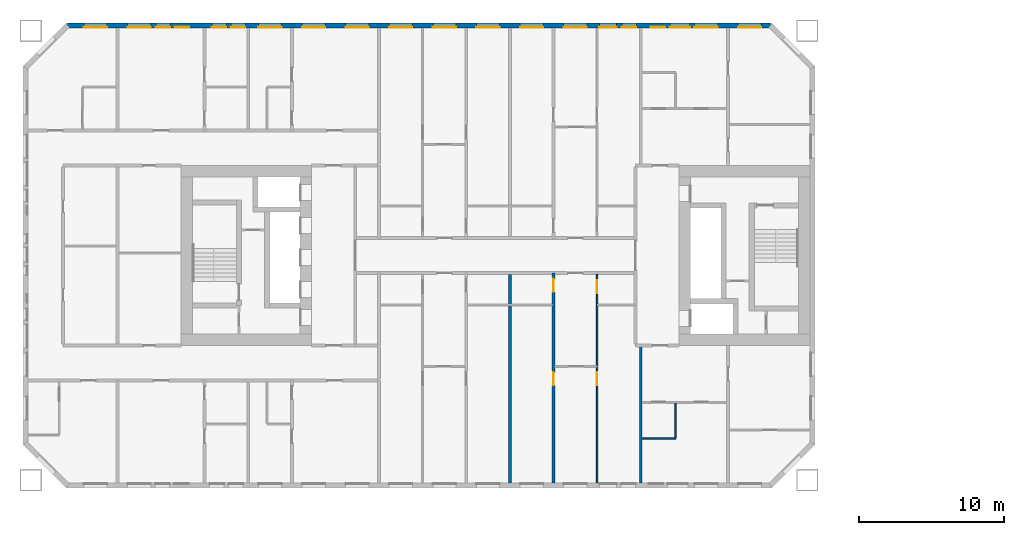
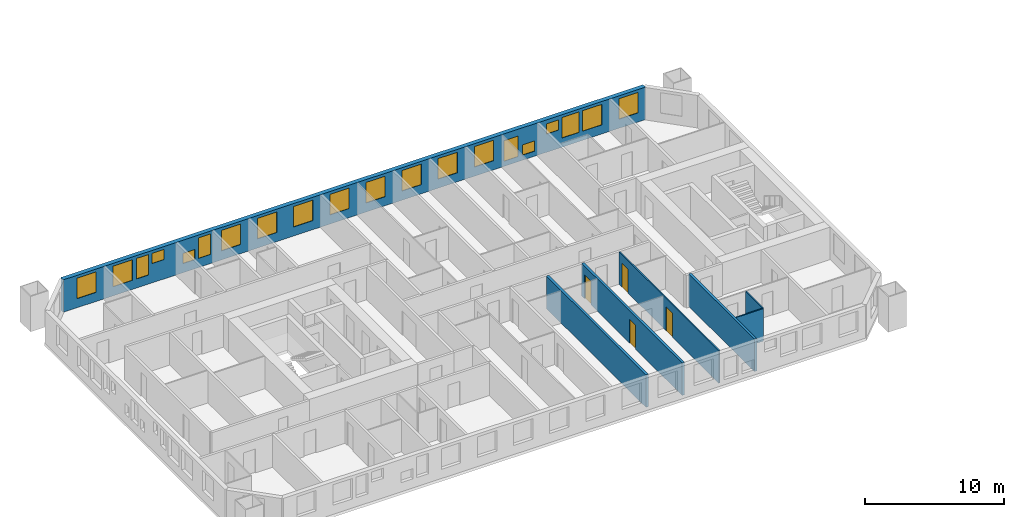
# One storey, part 6 of 17: 20 windows, 7 walls, 4 doors, 24 openings.
"""IFC4 building model written with IfcOpenShell, lengths in metres."""

from ifc_helpers import new_model, si_unit, direction, frame, frame_2d, origin, place, context, subcontext, project, spatial, rectangle, extrude, material, layer, layer_set, type_object, element, fill, save


model = new_model("IFC4")

# Units and contexts
model_context = context("Model", 3, precision=1e-05, world=origin(), true_north=direction((0.0, 1.0)))
body_context = subcontext(model_context, "Body", "Model", "MODEL_VIEW")
ifc_project = project(units=[si_unit("LENGTHUNIT", "METRE"), si_unit("AREAUNIT", "SQUARE_METRE"), si_unit("VOLUMEUNIT", "CUBIC_METRE"), si_unit("PLANEANGLEUNIT", "RADIAN"), si_unit("MASSUNIT", "GRAM", prefix="KILO")], contexts=[model_context])

# Site, building, storey
site_placement = place(None, origin())
site = spatial("IfcSite", under=ifc_project, at=site_placement, CompositionType="ELEMENT")
building_placement = place(site_placement, origin())
building = spatial("IfcBuilding", under=site, at=building_placement, Name="Tuart Gate Housing", CompositionType="ELEMENT")
storey_placement = place(building_placement, frame((0.0, 0.0, 50.5)))
storey = spatial("IfcBuildingStorey", under=building, at=storey_placement, Name="L13", CompositionType="ELEMENT", Elevation=50.5)

# Wall, openings, windows
ifc_material_1 = material(Name="Brick", Category="masonry")
ifc_layer_1 = layer(ifc_material_1, 0.360107421875)
ifc_layer_set_1 = layer_set([ifc_layer_1], Name="Brick pier and spandrel wall 360")
wall_type_1 = type_object("IfcWallType", Name="Brick pier and spandrel wall 360", PredefinedType="STANDARD", material=ifc_layer_set_1)
wall_1_placement = place(storey_placement, frame((72.92529296875, 85.820068359375, 0.0), z_axis=(0.0, 0.0, 1.0), x_axis=(-1.0, 0.0, 0.0)))
wall_1 = element("IfcWall", 1, at=wall_1_placement, inside=storey, type_object=wall_type_1, Name="External wall A-N L13", PredefinedType="STANDARD", context=body_context, shape_type="SweptSolid", body=[
    extrude(rectangle(XDim=48.350830078125, YDim=0.360107421875, at=frame_2d((24.17529296875, 0.0))), origin(), (0.0, 0.0, 1.0), 2.85009765625),
])
opening_1_placement = place(wall_1_placement, frame((0.62548828125, 0.0, 0.800048828125)))
opening_1 = element("IfcOpeningElement", 2, at=opening_1_placement, cuts=wall_1, Name="Opening W1", PredefinedType="OPENING", context=body_context, shape_type="SweptSolid", body=[
    extrude(rectangle(XDim=1.60009765625, YDim=1.800048828125, at=frame_2d((0.800048828125, 0.89990234375))), frame((0.0, 0.18994140625, 0.0), z_axis=(0.0, -1.0, 0.0), x_axis=(1.0, 0.0, 0.0)), (0.0, 0.0, 1.0), 0.380126953125),
])
opening_2_placement = place(wall_1_placement, frame((3.62548828125, 0.0, 0.800048828125)))
opening_2 = element("IfcOpeningElement", 3, at=opening_2_placement, cuts=wall_1, Name="Opening W1", PredefinedType="OPENING", context=body_context, shape_type="SweptSolid", body=[
    extrude(rectangle(XDim=1.60009765625, YDim=1.800048828125, at=frame_2d((0.800048828125, 0.89990234375))), frame((0.0, 0.18994140625, 0.0), z_axis=(0.0, -1.0, 0.0), x_axis=(1.0, 0.0, 0.0)), (0.0, 0.0, 1.0), 0.380126953125),
])
opening_3_placement = place(wall_1_placement, frame((5.525390625, 0.0, 0.800048828125)))
opening_3 = element("IfcOpeningElement", 4, at=opening_3_placement, cuts=wall_1, Name="Opening W1A", PredefinedType="OPENING", context=body_context, shape_type="SweptSolid", body=[
    extrude(rectangle(XDim=1.39990234375, YDim=1.800048828125, at=frame_2d((0.699951171875, 0.89990234375))), frame((0.0, 0.18994140625, 0.0), z_axis=(0.0, -1.0, 0.0), x_axis=(1.0, 0.0, 0.0)), (0.0, 0.0, 1.0), 0.380126953125),
])
opening_4_placement = place(wall_1_placement, frame((9.225341796875, 0.0, 0.449951171875)))
opening_4 = element("IfcOpeningElement", 5, at=opening_4_placement, cuts=wall_1, Name="Opening W1U", PredefinedType="OPENING", context=body_context, shape_type="SweptSolid", body=[
    extrude(rectangle(XDim=1.0, YDim=0.89990234375, at=frame_2d((0.5, 0.449951171875))), frame((0.0, 0.18994140625, 0.0), z_axis=(0.0, -1.0, 0.0), x_axis=(1.0, 0.0, 0.0)), (0.0, 0.0, 1.0), 0.380126953125),
])
opening_5_placement = place(wall_1_placement, frame((12.62548828125, 0.0, 0.800048828125)))
opening_5 = element("IfcOpeningElement", 6, at=opening_5_placement, cuts=wall_1, Name="Opening W1", PredefinedType="OPENING", context=body_context, shape_type="SweptSolid", body=[
    extrude(rectangle(XDim=1.60009765625, YDim=1.800048828125, at=frame_2d((0.800048828125, 0.89990234375))), frame((0.0, 0.18994140625, 0.0), z_axis=(0.0, -1.0, 0.0), x_axis=(1.0, 0.0, 0.0)), (0.0, 0.0, 1.0), 0.380126953125),
])
opening_6_placement = place(wall_1_placement, frame((15.62548828125, 0.0, 0.800048828125)))
opening_6 = element("IfcOpeningElement", 7, at=opening_6_placement, cuts=wall_1, Name="Opening W1", PredefinedType="OPENING", context=body_context, shape_type="SweptSolid", body=[
    extrude(rectangle(XDim=1.60009765625, YDim=1.800048828125, at=frame_2d((0.800048828125, 0.89990234375))), frame((0.0, 0.18994140625, 0.0), z_axis=(0.0, -1.0, 0.0), x_axis=(1.0, 0.0, 0.0)), (0.0, 0.0, 1.0), 0.380126953125),
])
opening_7_placement = place(wall_1_placement, frame((18.62548828125, 0.0, 0.800048828125)))
opening_7 = element("IfcOpeningElement", 8, at=opening_7_placement, cuts=wall_1, Name="Opening W1", PredefinedType="OPENING", context=body_context, shape_type="SweptSolid", body=[
    extrude(rectangle(XDim=1.60009765625, YDim=1.800048828125, at=frame_2d((0.800048828125, 0.89990234375))), frame((0.0, 0.18994140625, 0.0), z_axis=(0.0, -1.0, 0.0), x_axis=(1.0, 0.0, 0.0)), (0.0, 0.0, 1.0), 0.380126953125),
])
opening_8_placement = place(wall_1_placement, frame((21.62548828125, 0.0, 0.800048828125)))
opening_8 = element("IfcOpeningElement", 9, at=opening_8_placement, cuts=wall_1, Name="Opening W1", PredefinedType="OPENING", context=body_context, shape_type="SweptSolid", body=[
    extrude(rectangle(XDim=1.60009765625, YDim=1.800048828125, at=frame_2d((0.800048828125, 0.89990234375))), frame((0.0, 0.18994140625, 0.0), z_axis=(0.0, -1.0, 0.0), x_axis=(1.0, 0.0, 0.0)), (0.0, 0.0, 1.0), 0.380126953125),
])
opening_9_placement = place(wall_1_placement, frame((24.62548828125, 0.0, 0.800048828125)))
opening_9 = element("IfcOpeningElement", 10, at=opening_9_placement, cuts=wall_1, Name="Opening W1", PredefinedType="OPENING", context=body_context, shape_type="SweptSolid", body=[
    extrude(rectangle(XDim=1.60009765625, YDim=1.800048828125, at=frame_2d((0.800048828125, 0.89990234375))), frame((0.0, 0.18994140625, 0.0), z_axis=(0.0, -1.0, 0.0), x_axis=(1.0, 0.0, 0.0)), (0.0, 0.0, 1.0), 0.380126953125),
])
opening_10_placement = place(wall_1_placement, frame((27.62548828125, 0.0, 0.800048828125)))
opening_10 = element("IfcOpeningElement", 11, at=opening_10_placement, cuts=wall_1, Name="Opening W1", PredefinedType="OPENING", context=body_context, shape_type="SweptSolid", body=[
    extrude(rectangle(XDim=1.60009765625, YDim=1.800048828125, at=frame_2d((0.800048828125, 0.89990234375))), frame((0.0, 0.18994140625, 0.0), z_axis=(0.0, -1.0, 0.0), x_axis=(1.0, 0.0, 0.0)), (0.0, 0.0, 1.0), 0.380126953125),
])
opening_11_placement = place(wall_1_placement, frame((30.62548828125, 0.0, 0.800048828125)))
opening_11 = element("IfcOpeningElement", 12, at=opening_11_placement, cuts=wall_1, Name="Opening W1", PredefinedType="OPENING", context=body_context, shape_type="SweptSolid", body=[
    extrude(rectangle(XDim=1.60009765625, YDim=1.800048828125, at=frame_2d((0.800048828125, 0.89990234375))), frame((0.0, 0.18994140625, 0.0), z_axis=(0.0, -1.0, 0.0), x_axis=(1.0, 0.0, 0.0)), (0.0, 0.0, 1.0), 0.380126953125),
])
opening_12_placement = place(wall_1_placement, frame((33.62548828125, 0.0, 0.800048828125)))
opening_12 = element("IfcOpeningElement", 13, at=opening_12_placement, cuts=wall_1, Name="Opening W1", PredefinedType="OPENING", context=body_context, shape_type="SweptSolid", body=[
    extrude(rectangle(XDim=1.60009765625, YDim=1.800048828125, at=frame_2d((0.800048828125, 0.89990234375))), frame((0.0, 0.18994140625, 0.0), z_axis=(0.0, -1.0, 0.0), x_axis=(1.0, 0.0, 0.0)), (0.0, 0.0, 1.0), 0.380126953125),
])
opening_13_placement = place(wall_1_placement, frame((36.12548828125, 0.0, 0.800048828125)))
opening_13 = element("IfcOpeningElement", 14, at=opening_13_placement, cuts=wall_1, Name="Opening W1C", PredefinedType="OPENING", context=body_context, shape_type="SweptSolid", body=[
    extrude(rectangle(XDim=1.0, YDim=1.800048828125, at=frame_2d((0.5, 0.89990234375))), frame((0.0, 0.18994140625, 0.0), z_axis=(0.0, -1.0, 0.0), x_axis=(1.0, 0.0, 0.0)), (0.0, 0.0, 1.0), 0.380126953125),
])
opening_14_placement = place(wall_1_placement, frame((39.975341796875, 0.0, 1.699951171875)))
opening_14 = element("IfcOpeningElement", 15, at=opening_14_placement, cuts=wall_1, Name="Opening W1U", PredefinedType="OPENING", context=body_context, shape_type="SweptSolid", body=[
    extrude(rectangle(XDim=1.0, YDim=0.89990234375, at=frame_2d((0.5, 0.449951171875))), frame((0.0, 0.18994140625, 0.0), z_axis=(0.0, -1.0, 0.0), x_axis=(1.0, 0.0, 0.0)), (0.0, 0.0, 1.0), 0.380126953125),
])
opening_15_placement = place(wall_1_placement, frame((42.62548828125, 0.0, 0.800048828125)))
opening_15 = element("IfcOpeningElement", 16, at=opening_15_placement, cuts=wall_1, Name="Opening W1", PredefinedType="OPENING", context=body_context, shape_type="SweptSolid", body=[
    extrude(rectangle(XDim=1.60009765625, YDim=1.800048828125, at=frame_2d((0.800048828125, 0.89990234375))), frame((0.0, 0.18994140625, 0.0), z_axis=(0.0, -1.0, 0.0), x_axis=(1.0, 0.0, 0.0)), (0.0, 0.0, 1.0), 0.380126953125),
])
opening_16_placement = place(wall_1_placement, frame((45.62548828125, 0.0, 0.800048828125)))
opening_16 = element("IfcOpeningElement", 17, at=opening_16_placement, cuts=wall_1, Name="Opening W1", PredefinedType="OPENING", context=body_context, shape_type="SweptSolid", body=[
    extrude(rectangle(XDim=1.60009765625, YDim=1.800048828125, at=frame_2d((0.800048828125, 0.89990234375))), frame((0.0, 0.18994140625, 0.0), z_axis=(0.0, -1.0, 0.0), x_axis=(1.0, 0.0, 0.0)), (0.0, 0.0, 1.0), 0.380126953125),
])
opening_17_placement = place(wall_1_placement, frame((7.225341796875, 0.0, 1.60009765625)))
opening_17 = element("IfcOpeningElement", 18, at=opening_17_placement, cuts=wall_1, Name="Opening W1U", PredefinedType="OPENING", context=body_context, shape_type="SweptSolid", body=[
    extrude(rectangle(XDim=1.0, YDim=0.89990234375, at=frame_2d((0.5, 0.449951171875))), frame((0.0, 0.18994140625, 0.0), z_axis=(0.0, -1.0, 0.0), x_axis=(1.0, 0.0, 0.0)), (0.0, 0.0, 1.0), 0.380126953125),
])
opening_18_placement = place(wall_1_placement, frame((10.575439453125, 0.0, 0.449951171875)))
opening_18 = element("IfcOpeningElement", 19, at=opening_18_placement, cuts=wall_1, Name="Opening W1B", PredefinedType="OPENING", context=body_context, shape_type="SweptSolid", body=[
    extrude(rectangle(XDim=1.199951171875, YDim=1.800048828125, at=frame_2d((0.60009765625, 0.89990234375))), frame((0.0, 0.18994140625, 0.0), z_axis=(0.0, -1.0, 0.0), x_axis=(1.0, 0.0, 0.0)), (0.0, 0.0, 1.0), 0.380126953125),
])
opening_19_placement = place(wall_1_placement, frame((37.42529296875, 0.0, 0.800048828125)))
opening_19 = element("IfcOpeningElement", 20, at=opening_19_placement, cuts=wall_1, Name="Opening W1U", PredefinedType="OPENING", context=body_context, shape_type="SweptSolid", body=[
    extrude(rectangle(XDim=1.0, YDim=0.89990234375, at=frame_2d((0.5, 0.449951171875))), frame((0.0, 0.18994140625, 0.0), z_axis=(0.0, -1.0, 0.0), x_axis=(1.0, 0.0, 0.0)), (0.0, 0.0, 1.0), 0.380126953125),
])
opening_20_placement = place(wall_1_placement, frame((41.275390625, 0.0, 0.800048828125)))
opening_20 = element("IfcOpeningElement", 21, at=opening_20_placement, cuts=wall_1, Name="Opening W1C", PredefinedType="OPENING", context=body_context, shape_type="SweptSolid", body=[
    extrude(rectangle(XDim=1.0, YDim=1.800048828125, at=frame_2d((0.5, 0.89990234375))), frame((0.0, 0.18994140625, 0.0), z_axis=(0.0, -1.0, 0.0), x_axis=(1.0, 0.0, 0.0)), (0.0, 0.0, 1.0), 0.380126953125),
])
ifc_material_2 = material(Name="Aluminium frame with clear glass", Category="aluminium")
window_type_1 = type_object("IfcWindowType", Name="Punched window 1000 x 1800", PartitioningType="SINGLE_PANEL", PredefinedType="WINDOW", material=ifc_material_2)
window_1_placement = place(opening_13_placement, origin())
window_1 = element("IfcWindow", 22, at=window_1_placement, inside=storey, type_object=window_type_1, Name="Window W1C", OverallHeight=1.800048828125, OverallWidth=1.0, PartitioningType="SINGLE_PANEL", PredefinedType="WINDOW", context=body_context, shape_type="SweptSolid", body=[
    extrude(rectangle(XDim=1.0, YDim=1.800048828125, at=frame_2d((0.5, 0.89990234375))), frame((0.0, 0.150146484375, 0.0), z_axis=(0.0, -1.0, 0.0), x_axis=(1.0, 0.0, 0.0)), (0.0, 0.0, 1.0), 0.06005859375),
])
fill(opening_13, window_1)
window_2_placement = place(opening_20_placement, origin())
window_2 = element("IfcWindow", 23, at=window_2_placement, inside=storey, type_object=window_type_1, Name="Window W1C", OverallHeight=1.800048828125, OverallWidth=1.0, PartitioningType="SINGLE_PANEL", PredefinedType="WINDOW", context=body_context, shape_type="SweptSolid", body=[
    extrude(rectangle(XDim=1.0, YDim=1.800048828125, at=frame_2d((0.5, 0.89990234375))), frame((0.0, 0.150146484375, 0.0), z_axis=(0.0, -1.0, 0.0), x_axis=(1.0, 0.0, 0.0)), (0.0, 0.0, 1.0), 0.06005859375),
])
fill(opening_20, window_2)
ifc_material_3 = material(Name="Aluminium frame with clear glass", Category="aluminium")
window_type_2 = type_object("IfcWindowType", Name="Punched window 1000 x 900", PartitioningType="SINGLE_PANEL", PredefinedType="WINDOW", material=ifc_material_3)
window_3_placement = place(opening_4_placement, origin())
window_3 = element("IfcWindow", 24, at=window_3_placement, inside=storey, type_object=window_type_2, Name="Window W1U", OverallHeight=0.89990234375, OverallWidth=1.0, PartitioningType="SINGLE_PANEL", PredefinedType="WINDOW", context=body_context, shape_type="SweptSolid", body=[
    extrude(rectangle(XDim=1.0, YDim=0.89990234375, at=frame_2d((0.5, 0.449951171875))), frame((0.0, 0.150146484375, 0.0), z_axis=(0.0, -1.0, 0.0), x_axis=(1.0, 0.0, 0.0)), (0.0, 0.0, 1.0), 0.06005859375),
])
fill(opening_4, window_3)
window_4_placement = place(opening_14_placement, origin())
window_4 = element("IfcWindow", 25, at=window_4_placement, inside=storey, type_object=window_type_2, Name="Window W1U", OverallHeight=0.89990234375, OverallWidth=1.0, PartitioningType="SINGLE_PANEL", PredefinedType="WINDOW", context=body_context, shape_type="SweptSolid", body=[
    extrude(rectangle(XDim=1.0, YDim=0.89990234375, at=frame_2d((0.5, 0.449951171875))), frame((0.0, 0.150146484375, 0.0), z_axis=(0.0, -1.0, 0.0), x_axis=(1.0, 0.0, 0.0)), (0.0, 0.0, 1.0), 0.06005859375),
])
fill(opening_14, window_4)
window_5_placement = place(opening_17_placement, origin())
window_5 = element("IfcWindow", 26, at=window_5_placement, inside=storey, type_object=window_type_2, Name="Window W1U", OverallHeight=0.89990234375, OverallWidth=1.0, PartitioningType="SINGLE_PANEL", PredefinedType="WINDOW", context=body_context, shape_type="SweptSolid", body=[
    extrude(rectangle(XDim=1.0, YDim=0.89990234375, at=frame_2d((0.5, 0.449951171875))), frame((0.0, 0.150146484375, 0.0), z_axis=(0.0, -1.0, 0.0), x_axis=(1.0, 0.0, 0.0)), (0.0, 0.0, 1.0), 0.06005859375),
])
fill(opening_17, window_5)
window_6_placement = place(opening_19_placement, origin())
window_6 = element("IfcWindow", 27, at=window_6_placement, inside=storey, type_object=window_type_2, Name="Window W1U", OverallHeight=0.89990234375, OverallWidth=1.0, PartitioningType="SINGLE_PANEL", PredefinedType="WINDOW", context=body_context, shape_type="SweptSolid", body=[
    extrude(rectangle(XDim=1.0, YDim=0.89990234375, at=frame_2d((0.5, 0.449951171875))), frame((0.0, 0.150146484375, 0.0), z_axis=(0.0, -1.0, 0.0), x_axis=(1.0, 0.0, 0.0)), (0.0, 0.0, 1.0), 0.06005859375),
])
fill(opening_19, window_6)
ifc_material_4 = material(Name="Aluminium frame with clear glass", Category="aluminium")
window_type_3 = type_object("IfcWindowType", Name="Punched window 1200 x 1800", PartitioningType="SINGLE_PANEL", PredefinedType="WINDOW", material=ifc_material_4)
window_7_placement = place(opening_18_placement, origin())
window_7 = element("IfcWindow", 28, at=window_7_placement, inside=storey, type_object=window_type_3, Name="Window W1B", OverallHeight=1.800048828125, OverallWidth=1.199951171875, PartitioningType="SINGLE_PANEL", PredefinedType="WINDOW", context=body_context, shape_type="SweptSolid", body=[
    extrude(rectangle(XDim=1.199951171875, YDim=1.800048828125, at=frame_2d((0.60009765625, 0.89990234375))), frame((0.0, 0.150146484375, 0.0), z_axis=(0.0, -1.0, 0.0), x_axis=(1.0, 0.0, 0.0)), (0.0, 0.0, 1.0), 0.06005859375),
])
fill(opening_18, window_7)
ifc_material_5 = material(Name="Aluminium frame with clear glass", Category="aluminium")
window_type_4 = type_object("IfcWindowType", Name="Punched window 1400 x 1800", PartitioningType="SINGLE_PANEL", PredefinedType="WINDOW", material=ifc_material_5)
window_8_placement = place(opening_3_placement, origin())
window_8 = element("IfcWindow", 29, at=window_8_placement, inside=storey, type_object=window_type_4, Name="Window W1A", OverallHeight=1.800048828125, OverallWidth=1.39990234375, PartitioningType="SINGLE_PANEL", PredefinedType="WINDOW", context=body_context, shape_type="SweptSolid", body=[
    extrude(rectangle(XDim=1.39990234375, YDim=1.800048828125, at=frame_2d((0.699951171875, 0.89990234375))), frame((0.0, 0.150146484375, 0.0), z_axis=(0.0, -1.0, 0.0), x_axis=(1.0, 0.0, 0.0)), (0.0, 0.0, 1.0), 0.06005859375),
])
fill(opening_3, window_8)
ifc_material_6 = material(Name="Aluminium frame with clear glass", Category="aluminium")
window_type_5 = type_object("IfcWindowType", Name="Punched window 1600 x 1800", PartitioningType="SINGLE_PANEL", PredefinedType="WINDOW", material=ifc_material_6)
window_9_placement = place(opening_1_placement, origin())
window_9 = element("IfcWindow", 30, at=window_9_placement, inside=storey, type_object=window_type_5, Name="Window W1", OverallHeight=1.800048828125, OverallWidth=1.60009765625, PartitioningType="SINGLE_PANEL", PredefinedType="WINDOW", context=body_context, shape_type="SweptSolid", body=[
    extrude(rectangle(XDim=1.60009765625, YDim=1.800048828125, at=frame_2d((0.800048828125, 0.89990234375))), frame((0.0, 0.150146484375, 0.0), z_axis=(0.0, -1.0, 0.0), x_axis=(1.0, 0.0, 0.0)), (0.0, 0.0, 1.0), 0.06005859375),
])
fill(opening_1, window_9)
window_10_placement = place(opening_2_placement, origin())
window_10 = element("IfcWindow", 31, at=window_10_placement, inside=storey, type_object=window_type_5, Name="Window W1", OverallHeight=1.800048828125, OverallWidth=1.60009765625, PartitioningType="SINGLE_PANEL", PredefinedType="WINDOW", context=body_context, shape_type="SweptSolid", body=[
    extrude(rectangle(XDim=1.60009765625, YDim=1.800048828125, at=frame_2d((0.800048828125, 0.89990234375))), frame((0.0, 0.150146484375, 0.0), z_axis=(0.0, -1.0, 0.0), x_axis=(1.0, 0.0, 0.0)), (0.0, 0.0, 1.0), 0.06005859375),
])
fill(opening_2, window_10)
window_11_placement = place(opening_5_placement, origin())
window_11 = element("IfcWindow", 32, at=window_11_placement, inside=storey, type_object=window_type_5, Name="Window W1", OverallHeight=1.800048828125, OverallWidth=1.60009765625, PartitioningType="SINGLE_PANEL", PredefinedType="WINDOW", context=body_context, shape_type="SweptSolid", body=[
    extrude(rectangle(XDim=1.60009765625, YDim=1.800048828125, at=frame_2d((0.800048828125, 0.89990234375))), frame((0.0, 0.150146484375, 0.0), z_axis=(0.0, -1.0, 0.0), x_axis=(1.0, 0.0, 0.0)), (0.0, 0.0, 1.0), 0.06005859375),
])
fill(opening_5, window_11)
window_12_placement = place(opening_6_placement, origin())
window_12 = element("IfcWindow", 33, at=window_12_placement, inside=storey, type_object=window_type_5, Name="Window W1", OverallHeight=1.800048828125, OverallWidth=1.60009765625, PartitioningType="SINGLE_PANEL", PredefinedType="WINDOW", context=body_context, shape_type="SweptSolid", body=[
    extrude(rectangle(XDim=1.60009765625, YDim=1.800048828125, at=frame_2d((0.800048828125, 0.89990234375))), frame((0.0, 0.150146484375, 0.0), z_axis=(0.0, -1.0, 0.0), x_axis=(1.0, 0.0, 0.0)), (0.0, 0.0, 1.0), 0.06005859375),
])
fill(opening_6, window_12)
window_13_placement = place(opening_7_placement, origin())
window_13 = element("IfcWindow", 34, at=window_13_placement, inside=storey, type_object=window_type_5, Name="Window W1", OverallHeight=1.800048828125, OverallWidth=1.60009765625, PartitioningType="SINGLE_PANEL", PredefinedType="WINDOW", context=body_context, shape_type="SweptSolid", body=[
    extrude(rectangle(XDim=1.60009765625, YDim=1.800048828125, at=frame_2d((0.800048828125, 0.89990234375))), frame((0.0, 0.150146484375, 0.0), z_axis=(0.0, -1.0, 0.0), x_axis=(1.0, 0.0, 0.0)), (0.0, 0.0, 1.0), 0.06005859375),
])
fill(opening_7, window_13)
window_14_placement = place(opening_8_placement, origin())
window_14 = element("IfcWindow", 35, at=window_14_placement, inside=storey, type_object=window_type_5, Name="Window W1", OverallHeight=1.800048828125, OverallWidth=1.60009765625, PartitioningType="SINGLE_PANEL", PredefinedType="WINDOW", context=body_context, shape_type="SweptSolid", body=[
    extrude(rectangle(XDim=1.60009765625, YDim=1.800048828125, at=frame_2d((0.800048828125, 0.89990234375))), frame((0.0, 0.150146484375, 0.0), z_axis=(0.0, -1.0, 0.0), x_axis=(1.0, 0.0, 0.0)), (0.0, 0.0, 1.0), 0.06005859375),
])
fill(opening_8, window_14)
window_15_placement = place(opening_9_placement, origin())
window_15 = element("IfcWindow", 36, at=window_15_placement, inside=storey, type_object=window_type_5, Name="Window W1", OverallHeight=1.800048828125, OverallWidth=1.60009765625, PartitioningType="SINGLE_PANEL", PredefinedType="WINDOW", context=body_context, shape_type="SweptSolid", body=[
    extrude(rectangle(XDim=1.60009765625, YDim=1.800048828125, at=frame_2d((0.800048828125, 0.89990234375))), frame((0.0, 0.150146484375, 0.0), z_axis=(0.0, -1.0, 0.0), x_axis=(1.0, 0.0, 0.0)), (0.0, 0.0, 1.0), 0.06005859375),
])
fill(opening_9, window_15)
window_16_placement = place(opening_10_placement, origin())
window_16 = element("IfcWindow", 37, at=window_16_placement, inside=storey, type_object=window_type_5, Name="Window W1", OverallHeight=1.800048828125, OverallWidth=1.60009765625, PartitioningType="SINGLE_PANEL", PredefinedType="WINDOW", context=body_context, shape_type="SweptSolid", body=[
    extrude(rectangle(XDim=1.60009765625, YDim=1.800048828125, at=frame_2d((0.800048828125, 0.89990234375))), frame((0.0, 0.150146484375, 0.0), z_axis=(0.0, -1.0, 0.0), x_axis=(1.0, 0.0, 0.0)), (0.0, 0.0, 1.0), 0.06005859375),
])
fill(opening_10, window_16)
window_17_placement = place(opening_11_placement, origin())
window_17 = element("IfcWindow", 38, at=window_17_placement, inside=storey, type_object=window_type_5, Name="Window W1", OverallHeight=1.800048828125, OverallWidth=1.60009765625, PartitioningType="SINGLE_PANEL", PredefinedType="WINDOW", context=body_context, shape_type="SweptSolid", body=[
    extrude(rectangle(XDim=1.60009765625, YDim=1.800048828125, at=frame_2d((0.800048828125, 0.89990234375))), frame((0.0, 0.150146484375, 0.0), z_axis=(0.0, -1.0, 0.0), x_axis=(1.0, 0.0, 0.0)), (0.0, 0.0, 1.0), 0.06005859375),
])
fill(opening_11, window_17)
window_18_placement = place(opening_12_placement, origin())
window_18 = element("IfcWindow", 39, at=window_18_placement, inside=storey, type_object=window_type_5, Name="Window W1", OverallHeight=1.800048828125, OverallWidth=1.60009765625, PartitioningType="SINGLE_PANEL", PredefinedType="WINDOW", context=body_context, shape_type="SweptSolid", body=[
    extrude(rectangle(XDim=1.60009765625, YDim=1.800048828125, at=frame_2d((0.800048828125, 0.89990234375))), frame((0.0, 0.150146484375, 0.0), z_axis=(0.0, -1.0, 0.0), x_axis=(1.0, 0.0, 0.0)), (0.0, 0.0, 1.0), 0.06005859375),
])
fill(opening_12, window_18)
window_19_placement = place(opening_15_placement, origin())
window_19 = element("IfcWindow", 40, at=window_19_placement, inside=storey, type_object=window_type_5, Name="Window W1", OverallHeight=1.800048828125, OverallWidth=1.60009765625, PartitioningType="SINGLE_PANEL", PredefinedType="WINDOW", context=body_context, shape_type="SweptSolid", body=[
    extrude(rectangle(XDim=1.60009765625, YDim=1.800048828125, at=frame_2d((0.800048828125, 0.89990234375))), frame((0.0, 0.150146484375, 0.0), z_axis=(0.0, -1.0, 0.0), x_axis=(1.0, 0.0, 0.0)), (0.0, 0.0, 1.0), 0.06005859375),
])
fill(opening_15, window_19)
window_20_placement = place(opening_16_placement, origin())
window_20 = element("IfcWindow", 41, at=window_20_placement, inside=storey, type_object=window_type_5, Name="Window W1", OverallHeight=1.800048828125, OverallWidth=1.60009765625, PartitioningType="SINGLE_PANEL", PredefinedType="WINDOW", context=body_context, shape_type="SweptSolid", body=[
    extrude(rectangle(XDim=1.60009765625, YDim=1.800048828125, at=frame_2d((0.800048828125, 0.89990234375))), frame((0.0, 0.150146484375, 0.0), z_axis=(0.0, -1.0, 0.0), x_axis=(1.0, 0.0, 0.0)), (0.0, 0.0, 1.0), 0.06005859375),
])
fill(opening_16, window_20)

# Wall
ifc_material_7 = material(Name="Gypsum board on steel studs", Category="steel")
ifc_layer_2 = layer(ifc_material_7, 0.10009765625)
ifc_layer_set_2 = layer_set([ifc_layer_2], Name="Partition 100")
wall_type_2 = type_object("IfcWallType", Name="Partition 100", PredefinedType="PARTITIONING", material=ifc_layer_set_2)
wall_2_placement = place(storey_placement, frame((64.10009765625, 57.39990234375, 0.0), z_axis=(0.0, 0.0, 1.0), x_axis=(1.0, 0.0, 0.0)))
element("IfcWall", 42, at=wall_2_placement, inside=storey, type_object=wall_type_2, Name="Partition 100", PredefinedType="PARTITIONING", context=body_context, shape_type="SweptSolid", body=[
    extrude(rectangle(XDim=2.2998046875, YDim=0.10009765625, at=frame_2d((1.14990234375, 0.0))), origin(), (0.0, 0.0, 1.0), 2.85009765625),
])

# Wall, openings, doors
wall_3_placement = place(storey_placement, frame((61.0, 54.360107421875, 0.0), z_axis=(0.0, 0.0, 1.0), x_axis=(0.0, 1.0, 0.0)))
wall_3 = element("IfcWall", 43, at=wall_3_placement, inside=storey, type_object=wall_type_2, Name="Partition 100", PredefinedType="PARTITIONING", context=body_context, shape_type="SweptSolid", body=[
    extrude(rectangle(XDim=14.33984375, YDim=0.10009765625, at=frame_2d((7.169921875, 0.0))), origin(), (0.0, 0.0, 1.0), 2.85009765625),
])
opening_21_placement = place(wall_3_placement, frame((6.699951171875, 0.0, 0.0)))
opening_21 = element("IfcOpeningElement", 44, at=opening_21_placement, cuts=wall_3, Name="Opening D643", PredefinedType="OPENING", context=body_context, shape_type="SweptSolid", body=[
    extrude(rectangle(XDim=0.89990234375, YDim=2.10009765625, at=frame_2d((0.449951171875, 1.050048828125))), frame((0.0, 0.06005859375, 0.0), z_axis=(0.0, -1.0, 0.0), x_axis=(1.0, 0.0, 0.0)), (0.0, 0.0, 1.0), 0.1201171875),
])
opening_22_placement = place(wall_3_placement, frame((13.0400390625, 0.0, 0.0)))
opening_22 = element("IfcOpeningElement", 45, at=opening_22_placement, cuts=wall_3, Name="Opening D642", PredefinedType="OPENING", context=body_context, shape_type="SweptSolid", body=[
    extrude(rectangle(XDim=0.89990234375, YDim=2.10009765625, at=frame_2d((0.449951171875, 1.050048828125))), frame((0.0, 0.06005859375, 0.0), z_axis=(0.0, -1.0, 0.0), x_axis=(1.0, 0.0, 0.0)), (0.0, 0.0, 1.0), 0.1201171875),
])
ifc_material_8 = material(Name="Timber door leaf in steel frame", Category="steel")
door_type_1 = type_object("IfcDoorType", Name="Bathroom door 900", OperationType="SINGLE_SWING_LEFT", PredefinedType="DOOR", material=ifc_material_8)
door_1_placement = place(opening_22_placement, frame((0.89990234375, 0.0, 0.0), z_axis=(0.0, 0.0, 1.0), x_axis=(-1.0, 0.0, 0.0)))
door_1 = element("IfcDoor", 46, at=door_1_placement, inside=storey, type_object=door_type_1, Name="Bathroom door", OperationType="SINGLE_SWING_LEFT", OverallHeight=2.10009765625, OverallWidth=0.89990234375, PredefinedType="DOOR", context=body_context, shape_type="SweptSolid", body=[
    extrude(rectangle(XDim=0.89990234375, YDim=2.10009765625, at=frame_2d((0.449951171875, 1.050048828125))), frame((0.0, 0.025146484375, 0.0), z_axis=(0.0, -1.0, 0.0), x_axis=(1.0, 0.0, 0.0)), (0.0, 0.0, 1.0), 0.050048828125),
])
fill(opening_22, door_1)
ifc_material_9 = material(Name="Timber door leaf in steel frame", Category="steel")
door_type_2 = type_object("IfcDoorType", Name="Internal door 900", OperationType="SINGLE_SWING_LEFT", PredefinedType="DOOR", material=ifc_material_9)
door_2_placement = place(opening_21_placement, frame((0.89990234375, 0.0, 0.0), z_axis=(0.0, 0.0, 1.0), x_axis=(-1.0, 0.0, 0.0)))
door_2 = element("IfcDoor", 47, at=door_2_placement, inside=storey, type_object=door_type_2, Name="Internal door", OperationType="SINGLE_SWING_LEFT", OverallHeight=2.10009765625, OverallWidth=0.89990234375, PredefinedType="DOOR", context=body_context, shape_type="SweptSolid", body=[
    extrude(rectangle(XDim=0.89990234375, YDim=2.10009765625, at=frame_2d((0.449951171875, 1.050048828125))), frame((0.0, 0.025146484375, 0.0), z_axis=(0.0, -1.0, 0.0), x_axis=(1.0, 0.0, 0.0)), (0.0, 0.0, 1.0), 0.050048828125),
])
fill(opening_21, door_2)

# Wall
wall_4_placement = place(storey_placement, frame((66.39990234375, 57.449951171875, 0.0), z_axis=(0.0, 0.0, 1.0), x_axis=(0.0, 1.0, 0.0)))
element("IfcWall", 48, at=wall_4_placement, inside=storey, type_object=wall_type_2, Name="Partition 100", PredefinedType="PARTITIONING", context=body_context, shape_type="SweptSolid", body=[
    extrude(rectangle(XDim=2.400146484375, YDim=0.10009765625, at=frame_2d((1.2001953125, 0.0))), origin(), (0.0, 0.0, 1.0), 2.85009765625),
])

# Wall, openings, doors
ifc_material_10 = material(Name="Concrete C40", Category="concrete")
ifc_layer_3 = layer(ifc_material_10, 0.199951171875)
ifc_layer_set_3 = layer_set([ifc_layer_3], Name="Party wall concrete C40 200")
wall_type_3 = type_object("IfcWallType", Name="Party wall concrete C40 200", PredefinedType="SOLIDWALL", material=ifc_layer_set_3)
wall_5_placement = place(storey_placement, frame((58.0, 54.360107421875, 0.0), z_axis=(0.0, 0.0, 1.0), x_axis=(0.0, 1.0, 0.0)))
wall_5 = element("IfcWall", 49, at=wall_5_placement, inside=storey, type_object=wall_type_3, Name="Party wall concrete C40 200", PredefinedType="SOLIDWALL", context=body_context, shape_type="SweptSolid", body=[
    extrude(rectangle(XDim=14.43994140625, YDim=0.199951171875, at=frame_2d((7.219970703125, 0.0))), origin(), (0.0, 0.0, 1.0), 2.85009765625),
])
opening_23_placement = place(wall_5_placement, frame((6.699951171875, 0.0, 0.0)))
opening_23 = element("IfcOpeningElement", 50, at=opening_23_placement, cuts=wall_5, Name="Opening D639", PredefinedType="OPENING", context=body_context, shape_type="SweptSolid", body=[
    extrude(rectangle(XDim=0.89990234375, YDim=2.10009765625, at=frame_2d((0.449951171875, 1.050048828125))), frame((0.0, 0.10986328125, 0.0), z_axis=(0.0, -1.0, 0.0), x_axis=(1.0, 0.0, 0.0)), (0.0, 0.0, 1.0), 0.219970703125),
])
opening_24_placement = place(wall_5_placement, frame((13.139892578125, 0.0, 0.0)))
opening_24 = element("IfcOpeningElement", 51, at=opening_24_placement, cuts=wall_5, Name="Opening D638", PredefinedType="OPENING", context=body_context, shape_type="SweptSolid", body=[
    extrude(rectangle(XDim=0.89990234375, YDim=2.10009765625, at=frame_2d((0.449951171875, 1.050048828125))), frame((0.0, 0.10986328125, 0.0), z_axis=(0.0, -1.0, 0.0), x_axis=(1.0, 0.0, 0.0)), (0.0, 0.0, 1.0), 0.219970703125),
])
ifc_material_11 = material(Name="Timber door leaf in steel frame", Category="steel")
door_type_3 = type_object("IfcDoorType", Name="Bathroom door 900 RH", OperationType="SINGLE_SWING_RIGHT", PredefinedType="DOOR", material=ifc_material_11)
door_3_placement = place(opening_24_placement, origin())
door_3 = element("IfcDoor", 52, at=door_3_placement, inside=storey, type_object=door_type_3, Name="Bathroom door", OperationType="SINGLE_SWING_RIGHT", OverallHeight=2.10009765625, OverallWidth=0.89990234375, PredefinedType="DOOR", context=body_context, shape_type="SweptSolid", body=[
    extrude(rectangle(XDim=0.89990234375, YDim=2.10009765625, at=frame_2d((0.449951171875, 1.050048828125))), frame((0.0, 0.02490234375, 0.0), z_axis=(0.0, -1.0, 0.0), x_axis=(1.0, 0.0, 0.0)), (0.0, 0.0, 1.0), 0.050048828125),
])
fill(opening_24, door_3)
ifc_material_12 = material(Name="Timber door leaf in steel frame", Category="steel")
door_type_4 = type_object("IfcDoorType", Name="Internal door 900 RH", OperationType="SINGLE_SWING_RIGHT", PredefinedType="DOOR", material=ifc_material_12)
door_4_placement = place(opening_23_placement, origin())
door_4 = element("IfcDoor", 53, at=door_4_placement, inside=storey, type_object=door_type_4, Name="Internal door", OperationType="SINGLE_SWING_RIGHT", OverallHeight=2.10009765625, OverallWidth=0.89990234375, PredefinedType="DOOR", context=body_context, shape_type="SweptSolid", body=[
    extrude(rectangle(XDim=0.89990234375, YDim=2.10009765625, at=frame_2d((0.449951171875, 1.050048828125))), frame((0.0, 0.02490234375, 0.0), z_axis=(0.0, -1.0, 0.0), x_axis=(1.0, 0.0, 0.0)), (0.0, 0.0, 1.0), 0.050048828125),
])
fill(opening_23, door_4)

# Walls
wall_6_placement = place(storey_placement, frame((64.0, 54.360107421875, 0.0), z_axis=(0.0, 0.0, 1.0), x_axis=(0.0, 1.0, 0.0)))
element("IfcWall", 54, at=wall_6_placement, inside=storey, type_object=wall_type_3, Name="Party wall concrete C40 200", PredefinedType="SOLIDWALL", context=body_context, shape_type="SweptSolid", body=[
    extrude(rectangle(XDim=9.43994140625, YDim=0.199951171875, at=frame_2d((4.719970703125, 0.0))), origin(), (0.0, 0.0, 1.0), 2.85009765625),
])
ifc_material_13 = material(Name="Concrete masonry 15 MPa", Category="masonry")
ifc_layer_4 = layer(ifc_material_13, 0.199951171875)
ifc_layer_set_4 = layer_set([ifc_layer_4], Name="Party wall masonry 200")
wall_type_4 = type_object("IfcWallType", Name="Party wall masonry 200", PredefinedType="PARTITIONING", material=ifc_layer_set_4)
wall_7_placement = place(storey_placement, frame((55.0, 54.360107421875, 0.0), z_axis=(0.0, 0.0, 1.0), x_axis=(0.0, 1.0, 0.0)))
element("IfcWall", 55, at=wall_7_placement, inside=storey, type_object=wall_type_4, Name="Party wall masonry 200", PredefinedType="PARTITIONING", context=body_context, shape_type="SweptSolid", body=[
    extrude(rectangle(XDim=14.33984375, YDim=0.199951171875, at=frame_2d((7.169921875, 0.0))), origin(), (0.0, 0.0, 1.0), 2.85009765625),
])

save(model, "model.ifc")
